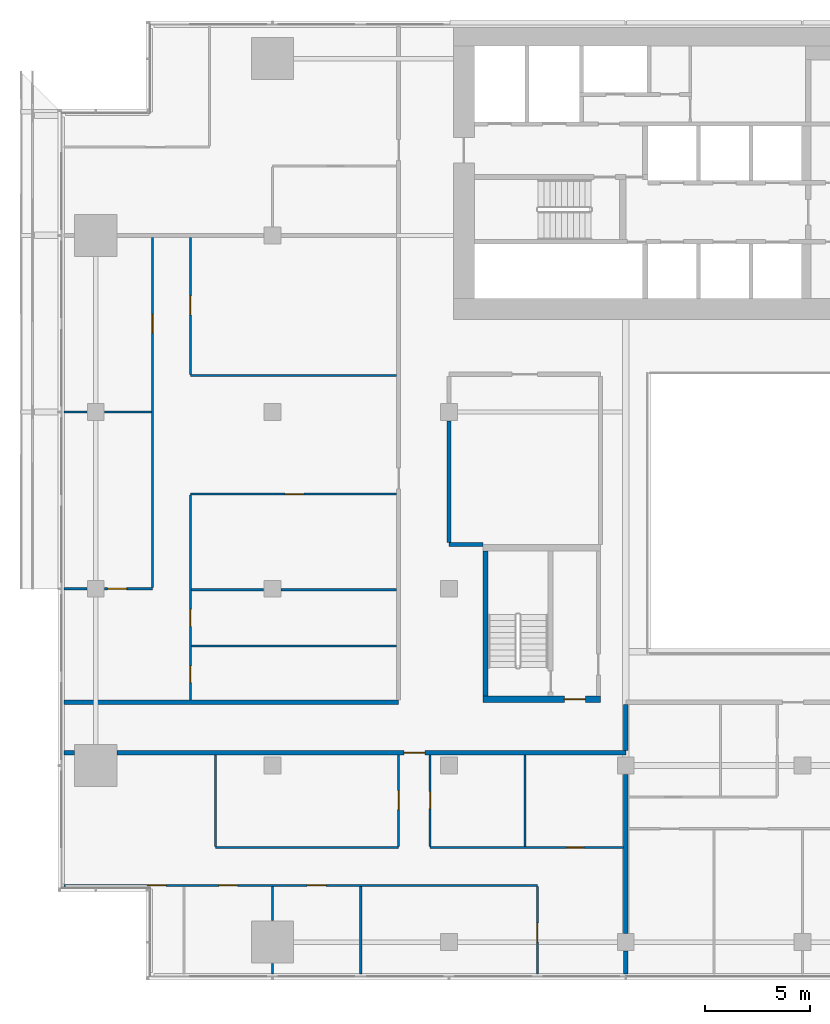
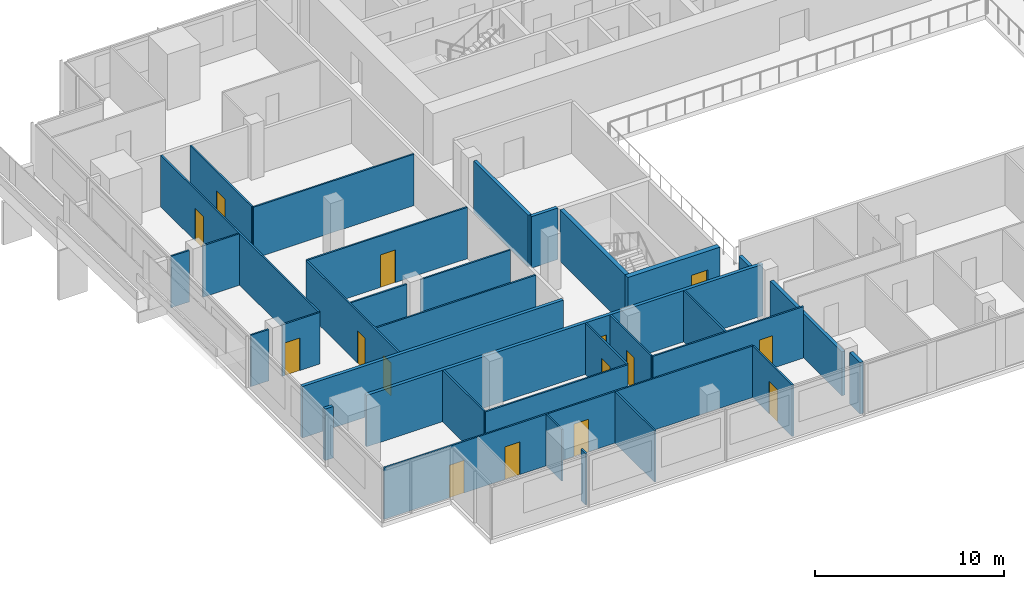
# One storey, part 16 of 25: 33 walls, 15 doors, 15 openings.
"""IFC4 building model written with IfcOpenShell, lengths in metres."""

from ifc_helpers import new_model, si_unit, direction, frame, frame_2d, origin, place, context, subcontext, project, spatial, rectangle, extrude, material, layer, layer_set, type_object, element, fill, save


model = new_model("IFC4")

# Units and contexts
model_context = context("Model", 3, precision=1e-05, world=origin(), true_north=direction((0.0, 1.0)))
body_context = subcontext(model_context, "Body", "Model", "MODEL_VIEW")
ifc_project = project(units=[si_unit("LENGTHUNIT", "METRE"), si_unit("AREAUNIT", "SQUARE_METRE"), si_unit("VOLUMEUNIT", "CUBIC_METRE"), si_unit("PLANEANGLEUNIT", "RADIAN"), si_unit("MASSUNIT", "GRAM", prefix="KILO")], contexts=[model_context])

# Site, building, storey
site_placement = place(None, origin())
site = spatial("IfcSite", under=ifc_project, at=site_placement, CompositionType="ELEMENT")
building_placement = place(site_placement, origin())
building = spatial("IfcBuilding", under=site, at=building_placement, Name="Saffron Gate Tower", CompositionType="ELEMENT")
storey_placement = place(building_placement, frame((0.0, 0.0, 131.25)))
storey = spatial("IfcBuildingStorey", under=building, at=storey_placement, Name="L31", CompositionType="ELEMENT", Elevation=131.25)

# Wall
ifc_material_1 = material(Name="Concrete C70", Category="concrete")
ifc_layer_1 = layer(ifc_material_1, 0.25)
ifc_layer_set_1 = layer_set([ifc_layer_1], Name="CW2 RC core wall 250 C70")
wall_type_1 = type_object("IfcWallType", Name="CW2 RC core wall 250 C70", PredefinedType="SOLIDWALL", material=ifc_layer_set_1)
wall_1_placement = place(storey_placement, frame((68.324951171875, 43.5, 0.0), z_axis=(0.0, 0.0, 1.0), x_axis=(0.0, 1.0, 0.0)))
element("IfcWall", 1, at=wall_1_placement, inside=storey, type_object=wall_type_1, Name="Wall CW2-L31-D-2", PredefinedType="SOLIDWALL", context=body_context, shape_type="SweptSolid", body=[
    extrude(rectangle(XDim=6.89990234375, YDim=0.25, at=frame_2d((3.449951171875, 0.0))), origin(), (0.0, 0.0, 1.0), 3.320068359375),
])

# Wall, opening, door
ifc_layer_2 = layer(ifc_material_1, 0.300048828125)
ifc_layer_set_2 = layer_set([ifc_layer_2], Name="CW5 RC core wall 300 C70")
wall_type_2 = type_object("IfcWallType", Name="CW5 RC core wall 300 C70", PredefinedType="SOLIDWALL", material=ifc_layer_set_2)
wall_2_placement = place(storey_placement, frame((68.199951171875, 43.35009765625, 0.0), z_axis=(0.0, 0.0, 1.0), x_axis=(1.0, 0.0, 0.0)))
wall_2 = element("IfcWall", 2, at=wall_2_placement, inside=storey, type_object=wall_type_2, Name="Wall CW5-L31-D-1", PredefinedType="SOLIDWALL", context=body_context, shape_type="SweptSolid", body=[
    extrude(rectangle(XDim=5.60009765625, YDim=0.300048828125, at=frame_2d((2.800048828125, 0.0))), origin(), (0.0, 0.0, 1.0), 3.320068359375),
])
opening_1_placement = place(wall_2_placement, frame((3.875, 0.0, 0.0)))
opening_1 = element("IfcOpeningElement", 3, at=opening_1_placement, cuts=wall_2, Name="Opening CR-18", PredefinedType="OPENING", context=body_context, shape_type="SweptSolid", body=[
    extrude(rectangle(XDim=1.0, YDim=2.10009765625, at=frame_2d((0.5, 1.050048828125))), frame((0.0, 0.16015625, 0.0), z_axis=(0.0, -1.0, 0.0), x_axis=(1.0, 0.0, 0.0)), (0.0, 0.0, 1.0), 0.320068359375),
])
ifc_material_2 = material(Name="Steel fire door set", Category="steel")
door_type_1 = type_object("IfcDoorType", Name="CD4 Lobby door 1000x2100 EI 120", OperationType="NOTDEFINED", PredefinedType="DOOR", material=ifc_material_2)
door_1_placement = place(opening_1_placement, origin())
door_1 = element("IfcDoor", 4, at=door_1_placement, inside=storey, type_object=door_type_1, Name="DOOR CR-18", OperationType="SINGLE_SWING_RIGHT", OverallHeight=2.10009765625, OverallWidth=1.0, PredefinedType="DOOR", context=body_context, shape_type="SweptSolid", body=[
    extrude(rectangle(XDim=1.0, YDim=2.10009765625, at=frame_2d((0.5, 1.050048828125))), frame((0.0, 0.02490234375, 0.0), z_axis=(0.0, -1.0, 0.0), x_axis=(1.0, 0.0, 0.0)), (0.0, 0.0, 1.0), 0.050048828125),
])
fill(opening_1, door_1)

# Wall, openings, doors
ifc_material_3 = material(Name="Plasterboard on steel studs", Category="steel")
ifc_layer_3 = layer(ifc_material_3, 0.10009765625)
ifc_layer_set_3 = layer_set([ifc_layer_3], Name="PW1 Partition 100")
wall_type_3 = type_object("IfcWallType", Name="PW1 Partition 100", PredefinedType="PARTITIONING", material=ifc_layer_set_3)
wall_3_placement = place(storey_placement, frame((70.800048828125, 34.5, 0.0), z_axis=(0.0, 0.0, 1.0), x_axis=(-1.0, 0.0, 0.0)))
wall_3 = element("IfcWall", 5, at=wall_3_placement, inside=storey, type_object=wall_type_3, Name="Partition B4-1", PredefinedType="PARTITIONING", context=body_context, shape_type="SweptSolid", body=[
    extrude(rectangle(XDim=22.52001953125, YDim=0.10009765625, at=frame_2d((11.260009765625, 0.0))), origin(), (0.0, 0.0, 1.0), 3.320068359375),
])
opening_2_placement = place(wall_3_placement, frame((10.050048828125, 0.0, 0.0)))
opening_2 = element("IfcOpeningElement", 6, at=opening_2_placement, cuts=wall_3, Name="Opening B4-10", PredefinedType="OPENING", context=body_context, shape_type="SweptSolid", body=[
    extrude(rectangle(XDim=0.89990234375, YDim=2.10009765625, at=frame_2d((0.449951171875, 1.050048828125))), frame((0.0, 0.06005859375, 0.0), z_axis=(0.0, -1.0, 0.0), x_axis=(1.0, 0.0, 0.0)), (0.0, 0.0, 1.0), 0.1201171875),
])
opening_3_placement = place(wall_3_placement, frame((14.25, 0.0, 0.0)))
opening_3 = element("IfcOpeningElement", 7, at=opening_3_placement, cuts=wall_3, Name="Opening B4-9", PredefinedType="OPENING", context=body_context, shape_type="SweptSolid", body=[
    extrude(rectangle(XDim=0.89990234375, YDim=2.10009765625, at=frame_2d((0.449951171875, 1.050048828125))), frame((0.0, 0.06005859375, 0.0), z_axis=(0.0, -1.0, 0.0), x_axis=(1.0, 0.0, 0.0)), (0.0, 0.0, 1.0), 0.1201171875),
])
opening_4_placement = place(wall_3_placement, frame((17.65380859375, 0.0, 0.0)))
opening_4 = element("IfcOpeningElement", 8, at=opening_4_placement, cuts=wall_3, Name="Opening B4-8", PredefinedType="OPENING", context=body_context, shape_type="SweptSolid", body=[
    extrude(rectangle(XDim=0.89990234375, YDim=2.10009765625, at=frame_2d((0.449951171875, 1.050048828125))), frame((0.0, 0.06005859375, 0.0), z_axis=(0.0, -1.0, 0.0), x_axis=(1.0, 0.0, 0.0)), (0.0, 0.0, 1.0), 0.1201171875),
])
ifc_material_4 = material(Name="Timber door set", Category="wood")
door_type_2 = type_object("IfcDoorType", Name="RD1 Room door 900x2100", OperationType="NOTDEFINED", PredefinedType="DOOR", material=ifc_material_4)
door_2_placement = place(opening_2_placement, origin())
door_2 = element("IfcDoor", 9, at=door_2_placement, inside=storey, type_object=door_type_2, Name="Door B4-10", OperationType="SINGLE_SWING_RIGHT", OverallHeight=2.10009765625, OverallWidth=0.89990234375, PredefinedType="DOOR", context=body_context, shape_type="SweptSolid", body=[
    extrude(rectangle(XDim=0.89990234375, YDim=2.10009765625, at=frame_2d((0.449951171875, 1.050048828125))), frame((0.0, 0.02490234375, 0.0), z_axis=(0.0, -1.0, 0.0), x_axis=(1.0, 0.0, 0.0)), (0.0, 0.0, 1.0), 0.050048828125),
])
fill(opening_2, door_2)
door_3_placement = place(opening_3_placement, origin())
door_3 = element("IfcDoor", 10, at=door_3_placement, inside=storey, type_object=door_type_2, Name="Door B4-9", OperationType="SINGLE_SWING_RIGHT", OverallHeight=2.10009765625, OverallWidth=0.89990234375, PredefinedType="DOOR", context=body_context, shape_type="SweptSolid", body=[
    extrude(rectangle(XDim=0.89990234375, YDim=2.10009765625, at=frame_2d((0.449951171875, 1.050048828125))), frame((0.0, 0.02490234375, 0.0), z_axis=(0.0, -1.0, 0.0), x_axis=(1.0, 0.0, 0.0)), (0.0, 0.0, 1.0), 0.050048828125),
])
fill(opening_3, door_3)
door_4_placement = place(opening_4_placement, origin())
door_4 = element("IfcDoor", 11, at=door_4_placement, inside=storey, type_object=door_type_2, Name="Door B4-8", OperationType="SINGLE_SWING_LEFT", OverallHeight=2.10009765625, OverallWidth=0.89990234375, PredefinedType="DOOR", context=body_context, shape_type="SweptSolid", body=[
    extrude(rectangle(XDim=0.89990234375, YDim=2.10009765625, at=frame_2d((0.449951171875, 1.050048828125))), frame((0.0, 0.02490234375, 0.0), z_axis=(0.0, -1.0, 0.0), x_axis=(1.0, 0.0, 0.0)), (0.0, 0.0, 1.0), 0.050048828125),
])
fill(opening_4, door_4)

# Wall
wall_4_placement = place(storey_placement, frame((55.5, 36.300048828125, 0.0), z_axis=(0.0, 0.0, 1.0), x_axis=(1.0, 0.0, 0.0)))
element("IfcWall", 12, at=wall_4_placement, inside=storey, type_object=wall_type_3, Name="Partition B4-4", PredefinedType="PARTITIONING", context=body_context, shape_type="SweptSolid", body=[
    extrude(rectangle(XDim=8.699951171875, YDim=0.10009765625, at=frame_2d((4.35009765625, 0.0))), origin(), (0.0, 0.0, 1.0), 3.320068359375),
])

# Wall, opening, door
wall_5_placement = place(storey_placement, frame((65.699951171875, 36.300048828125, 0.0), z_axis=(0.0, 0.0, 1.0), x_axis=(1.0, 0.0, 0.0)))
wall_5 = element("IfcWall", 13, at=wall_5_placement, inside=storey, type_object=wall_type_3, Name="Partition B4-5", PredefinedType="PARTITIONING", context=body_context, shape_type="SweptSolid", body=[
    extrude(rectangle(XDim=9.199951171875, YDim=0.10009765625, at=frame_2d((4.60009765625, 0.0))), origin(), (0.0, 0.0, 1.0), 3.320068359375),
])
opening_5_placement = place(wall_5_placement, frame((6.5, 0.0, 0.0)))
opening_5 = element("IfcOpeningElement", 14, at=opening_5_placement, cuts=wall_5, Name="Opening B4-37", PredefinedType="OPENING", context=body_context, shape_type="SweptSolid", body=[
    extrude(rectangle(XDim=0.800048828125, YDim=2.10009765625, at=frame_2d((0.39990234375, 1.050048828125))), frame((0.0, 0.06005859375, 0.0), z_axis=(0.0, -1.0, 0.0), x_axis=(1.0, 0.0, 0.0)), (0.0, 0.0, 1.0), 0.1201171875),
])
door_type_3 = type_object("IfcDoorType", Name="RD2 Bathroom door 800x2100", OperationType="NOTDEFINED", PredefinedType="DOOR", material=ifc_material_4)
door_5_placement = place(opening_5_placement, origin())
door_5 = element("IfcDoor", 15, at=door_5_placement, inside=storey, type_object=door_type_3, Name="Door B4-37", OperationType="SINGLE_SWING_RIGHT", OverallHeight=2.10009765625, OverallWidth=0.800048828125, PredefinedType="DOOR", context=body_context, shape_type="SweptSolid", body=[
    extrude(rectangle(XDim=0.800048828125, YDim=2.10009765625, at=frame_2d((0.39990234375, 1.050048828125))), frame((0.0, 0.02490234375, 0.0), z_axis=(0.0, -1.0, 0.0), x_axis=(1.0, 0.0, 0.0)), (0.0, 0.0, 1.0), 0.050048828125),
])
fill(opening_5, door_5)

# Walls
wall_6_placement = place(storey_placement, frame((54.35009765625, 45.876708984375, 0.0), z_axis=(0.0, 0.0, 1.0), x_axis=(1.0, 0.0, 0.0)))
element("IfcWall", 16, at=wall_6_placement, inside=storey, type_object=wall_type_3, Name="Partition B4-18", PredefinedType="PARTITIONING", context=body_context, shape_type="SweptSolid", body=[
    extrude(rectangle(XDim=9.75, YDim=0.10009765625, at=frame_2d((4.875, 0.0))), origin(), (0.0, 0.0, 1.0), 3.320068359375),
])
wall_7_placement = place(storey_placement, frame((54.35009765625, 48.553466796875, 0.0), z_axis=(0.0, 0.0, 1.0), x_axis=(1.0, 0.0, 0.0)))
element("IfcWall", 17, at=wall_7_placement, inside=storey, type_object=wall_type_3, Name="Partition B4-20", PredefinedType="PARTITIONING", context=body_context, shape_type="SweptSolid", body=[
    extrude(rectangle(XDim=3.429931640625, YDim=0.10009765625, at=frame_2d((1.71484375, 0.0))), origin(), (0.0, 0.0, 1.0), 3.320068359375),
])
wall_8_placement = place(storey_placement, frame((58.6201171875, 48.553466796875, 0.0), z_axis=(0.0, 0.0, 1.0), x_axis=(1.0, 0.0, 0.0)))
element("IfcWall", 18, at=wall_8_placement, inside=storey, type_object=wall_type_3, Name="Partition B4-21", PredefinedType="PARTITIONING", context=body_context, shape_type="SweptSolid", body=[
    extrude(rectangle(XDim=5.47998046875, YDim=0.10009765625, at=frame_2d((2.739990234375, 0.0))), origin(), (0.0, 0.0, 1.0), 3.320068359375),
])
wall_9_placement = place(storey_placement, frame((48.280029296875, 48.60009765625, 0.0), z_axis=(0.0, 0.0, 1.0), x_axis=(1.0, 0.0, 0.0)))
element("IfcWall", 19, at=wall_9_placement, inside=storey, type_object=wall_type_3, Name="Partition B4-22", PredefinedType="PARTITIONING", context=body_context, shape_type="SweptSolid", body=[
    extrude(rectangle(XDim=1.099853515625, YDim=0.10009765625, at=frame_2d((0.5498046875, 0.0))), origin(), (0.0, 0.0, 1.0), 3.320068359375),
])

# Wall, opening, door
wall_10_placement = place(storey_placement, frame((50.219970703125, 48.60009765625, 0.0), z_axis=(0.0, 0.0, 1.0), x_axis=(1.0, 0.0, 0.0)))
wall_10 = element("IfcWall", 20, at=wall_10_placement, inside=storey, type_object=wall_type_3, Name="Partition B4-23", PredefinedType="PARTITIONING", context=body_context, shape_type="SweptSolid", body=[
    extrude(rectangle(XDim=2.280029296875, YDim=0.10009765625, at=frame_2d((1.14013671875, 0.0))), origin(), (0.0, 0.0, 1.0), 3.320068359375),
])
opening_6_placement = place(wall_10_placement, frame((0.14990234375, 0.0, 0.0)))
opening_6 = element("IfcOpeningElement", 21, at=opening_6_placement, cuts=wall_10, Name="Opening B4-23", PredefinedType="OPENING", context=body_context, shape_type="SweptSolid", body=[
    extrude(rectangle(XDim=0.89990234375, YDim=2.10009765625, at=frame_2d((0.449951171875, 1.050048828125))), frame((0.0, 0.06005859375, 0.0), z_axis=(0.0, -1.0, 0.0), x_axis=(1.0, 0.0, 0.0)), (0.0, 0.0, 1.0), 0.1201171875),
])
door_6_placement = place(opening_6_placement, origin())
door_6 = element("IfcDoor", 22, at=door_6_placement, inside=storey, type_object=door_type_2, Name="Door B4-23", OperationType="SINGLE_SWING_LEFT", OverallHeight=2.10009765625, OverallWidth=0.89990234375, PredefinedType="DOOR", context=body_context, shape_type="SweptSolid", body=[
    extrude(rectangle(XDim=0.89990234375, YDim=2.10009765625, at=frame_2d((0.449951171875, 1.050048828125))), frame((0.0, 0.02490234375, 0.0), z_axis=(0.0, -1.0, 0.0), x_axis=(1.0, 0.0, 0.0)), (0.0, 0.0, 1.0), 0.050048828125),
])
fill(opening_6, door_6)

wall_11_placement = place(storey_placement, frame((64.10009765625, 53.10009765625, 0.0), z_axis=(0.0, 0.0, 1.0), x_axis=(-1.0, 0.0, 0.0)))
wall_11 = element("IfcWall", 23, at=wall_11_placement, inside=storey, type_object=wall_type_3, Name="Partition B4-30", PredefinedType="PARTITIONING", context=body_context, shape_type="SweptSolid", body=[
    extrude(rectangle(XDim=9.800048828125, YDim=0.10009765625, at=frame_2d((4.89990234375, 0.0))), origin(), (0.0, 0.0, 1.0), 3.320068359375),
])
opening_7_placement = place(wall_11_placement, frame((4.39990234375, 0.0, 0.0)))
opening_7 = element("IfcOpeningElement", 24, at=opening_7_placement, cuts=wall_11, Name="Opening B4-26", PredefinedType="OPENING", context=body_context, shape_type="SweptSolid", body=[
    extrude(rectangle(XDim=0.89990234375, YDim=2.10009765625, at=frame_2d((0.449951171875, 1.050048828125))), frame((0.0, 0.06005859375, 0.0), z_axis=(0.0, -1.0, 0.0), x_axis=(1.0, 0.0, 0.0)), (0.0, 0.0, 1.0), 0.1201171875),
])
door_7_placement = place(opening_7_placement, origin())
door_7 = element("IfcDoor", 25, at=door_7_placement, inside=storey, type_object=door_type_2, Name="Door B4-26", OperationType="SINGLE_SWING_LEFT", OverallHeight=2.10009765625, OverallWidth=0.89990234375, PredefinedType="DOOR", context=body_context, shape_type="SweptSolid", body=[
    extrude(rectangle(XDim=0.89990234375, YDim=2.10009765625, at=frame_2d((0.449951171875, 1.050048828125))), frame((0.0, 0.02490234375, 0.0), z_axis=(0.0, -1.0, 0.0), x_axis=(1.0, 0.0, 0.0)), (0.0, 0.0, 1.0), 0.050048828125),
])
fill(opening_7, door_7)

# Walls
wall_12_placement = place(storey_placement, frame((48.280029296875, 57.0, 0.0), z_axis=(0.0, 0.0, 1.0), x_axis=(1.0, 0.0, 0.0)))
element("IfcWall", 26, at=wall_12_placement, inside=storey, type_object=wall_type_3, Name="Partition B4-36", PredefinedType="PARTITIONING", context=body_context, shape_type="SweptSolid", body=[
    extrude(rectangle(XDim=1.099853515625, YDim=0.10009765625, at=frame_2d((0.5498046875, 0.0))), origin(), (0.0, 0.0, 1.0), 3.320068359375),
])
wall_13_placement = place(storey_placement, frame((50.219970703125, 57.0, 0.0), z_axis=(0.0, 0.0, 1.0), x_axis=(1.0, 0.0, 0.0)))
element("IfcWall", 27, at=wall_13_placement, inside=storey, type_object=wall_type_3, Name="Partition B4-37", PredefinedType="PARTITIONING", context=body_context, shape_type="SweptSolid", body=[
    extrude(rectangle(XDim=2.22998046875, YDim=0.10009765625, at=frame_2d((1.114990234375, 0.0))), origin(), (0.0, 0.0, 1.0), 3.320068359375),
])
wall_14_placement = place(storey_placement, frame((54.300048828125, 58.741455078125, 0.0), z_axis=(0.0, 0.0, 1.0), x_axis=(1.0, 0.0, 0.0)))
element("IfcWall", 28, at=wall_14_placement, inside=storey, type_object=wall_type_3, Name="Partition B4-38", PredefinedType="PARTITIONING", context=body_context, shape_type="SweptSolid", body=[
    extrude(rectangle(XDim=9.800048828125, YDim=0.10009765625, at=frame_2d((4.89990234375, 0.0))), origin(), (0.0, 0.0, 1.0), 3.320068359375),
])

# Wall, opening, door
wall_15_placement = place(storey_placement, frame((52.5, 48.64990234375, 0.0), z_axis=(0.0, 0.0, 1.0), x_axis=(0.0, 1.0, 0.0)))
wall_15 = element("IfcWall", 29, at=wall_15_placement, inside=storey, type_object=wall_type_3, Name="Partition B4-53", PredefinedType="PARTITIONING", context=body_context, shape_type="SweptSolid", body=[
    extrude(rectangle(XDim=16.650146484375, YDim=0.10009765625, at=frame_2d((8.3251953125, 0.0))), origin(), (0.0, 0.0, 1.0), 3.320068359375),
])
opening_8_placement = place(wall_15_placement, frame((12.10009765625, 0.0, 0.0)))
opening_8 = element("IfcOpeningElement", 30, at=opening_8_placement, cuts=wall_15, Name="Opening B4-24", PredefinedType="OPENING", context=body_context, shape_type="SweptSolid", body=[
    extrude(rectangle(XDim=0.89990234375, YDim=2.10009765625, at=frame_2d((0.449951171875, 1.050048828125))), frame((0.0, 0.06005859375, 0.0), z_axis=(0.0, -1.0, 0.0), x_axis=(1.0, 0.0, 0.0)), (0.0, 0.0, 1.0), 0.1201171875),
])
door_8_placement = place(opening_8_placement, origin())
door_8 = element("IfcDoor", 31, at=door_8_placement, inside=storey, type_object=door_type_2, Name="Door B4-24", OperationType="SINGLE_SWING_RIGHT", OverallHeight=2.10009765625, OverallWidth=0.89990234375, PredefinedType="DOOR", context=body_context, shape_type="SweptSolid", body=[
    extrude(rectangle(XDim=0.89990234375, YDim=2.10009765625, at=frame_2d((0.449951171875, 1.050048828125))), frame((0.0, 0.02490234375, 0.0), z_axis=(0.0, -1.0, 0.0), x_axis=(1.0, 0.0, 0.0)), (0.0, 0.0, 1.0), 0.050048828125),
])
fill(opening_8, door_8)

# Wall, openings, doors
wall_16_placement = place(storey_placement, frame((54.300048828125, 53.050048828125, 0.0), z_axis=(0.0, 0.0, 1.0), x_axis=(0.0, -1.0, 0.0)))
wall_16 = element("IfcWall", 32, at=wall_16_placement, inside=storey, type_object=wall_type_3, Name="Partition B4-55", PredefinedType="PARTITIONING", context=body_context, shape_type="SweptSolid", body=[
    extrude(rectangle(XDim=9.75, YDim=0.10009765625, at=frame_2d((4.875, 0.0))), origin(), (0.0, 0.0, 1.0), 3.320068359375),
])
opening_9_placement = place(wall_16_placement, frame((5.434814453125, 0.0, 0.0)))
opening_9 = element("IfcOpeningElement", 33, at=opening_9_placement, cuts=wall_16, Name="Opening B4-43", PredefinedType="OPENING", context=body_context, shape_type="SweptSolid", body=[
    extrude(rectangle(XDim=0.800048828125, YDim=2.10009765625, at=frame_2d((0.39990234375, 1.050048828125))), frame((0.0, 0.06005859375, 0.0), z_axis=(0.0, -1.0, 0.0), x_axis=(1.0, 0.0, 0.0)), (0.0, 0.0, 1.0), 0.1201171875),
])
opening_10_placement = place(wall_16_placement, frame((8.111572265625, 0.0, 0.0)))
opening_10 = element("IfcOpeningElement", 34, at=opening_10_placement, cuts=wall_16, Name="Opening B4-42", PredefinedType="OPENING", context=body_context, shape_type="SweptSolid", body=[
    extrude(rectangle(XDim=0.800048828125, YDim=2.10009765625, at=frame_2d((0.39990234375, 1.050048828125))), frame((0.0, 0.06005859375, 0.0), z_axis=(0.0, -1.0, 0.0), x_axis=(1.0, 0.0, 0.0)), (0.0, 0.0, 1.0), 0.1201171875),
])
door_9_placement = place(opening_9_placement, origin())
door_9 = element("IfcDoor", 35, at=door_9_placement, inside=storey, type_object=door_type_3, Name="Door B4-43", OperationType="SINGLE_SWING_LEFT", OverallHeight=2.10009765625, OverallWidth=0.800048828125, PredefinedType="DOOR", context=body_context, shape_type="SweptSolid", body=[
    extrude(rectangle(XDim=0.800048828125, YDim=2.10009765625, at=frame_2d((0.39990234375, 1.050048828125))), frame((0.0, 0.02490234375, 0.0), z_axis=(0.0, -1.0, 0.0), x_axis=(1.0, 0.0, 0.0)), (0.0, 0.0, 1.0), 0.050048828125),
])
fill(opening_9, door_9)
door_10_placement = place(opening_10_placement, origin())
door_10 = element("IfcDoor", 36, at=door_10_placement, inside=storey, type_object=door_type_3, Name="Door B4-42", OperationType="SINGLE_SWING_RIGHT", OverallHeight=2.10009765625, OverallWidth=0.800048828125, PredefinedType="DOOR", context=body_context, shape_type="SweptSolid", body=[
    extrude(rectangle(XDim=0.800048828125, YDim=2.10009765625, at=frame_2d((0.39990234375, 1.050048828125))), frame((0.0, 0.02490234375, 0.0), z_axis=(0.0, -1.0, 0.0), x_axis=(1.0, 0.0, 0.0)), (0.0, 0.0, 1.0), 0.050048828125),
])
fill(opening_10, door_10)

# Wall, opening, door
wall_17_placement = place(storey_placement, frame((54.300048828125, 65.300048828125, 0.0), z_axis=(0.0, 0.0, 1.0), x_axis=(0.0, -1.0, 0.0)))
wall_17 = element("IfcWall", 37, at=wall_17_placement, inside=storey, type_object=wall_type_3, Name="Partition B4-56", PredefinedType="PARTITIONING", context=body_context, shape_type="SweptSolid", body=[
    extrude(rectangle(XDim=6.508544921875, YDim=0.10009765625, at=frame_2d((3.25439453125, 0.0))), origin(), (0.0, 0.0, 1.0), 3.320068359375),
])
opening_11_placement = place(wall_17_placement, frame((2.779296875, 0.0, 0.0)))
opening_11 = element("IfcOpeningElement", 38, at=opening_11_placement, cuts=wall_17, Name="Opening B4-25", PredefinedType="OPENING", context=body_context, shape_type="SweptSolid", body=[
    extrude(rectangle(XDim=0.89990234375, YDim=2.10009765625, at=frame_2d((0.449951171875, 1.050048828125))), frame((0.0, 0.06005859375, 0.0), z_axis=(0.0, -1.0, 0.0), x_axis=(1.0, 0.0, 0.0)), (0.0, 0.0, 1.0), 0.1201171875),
])
door_11_placement = place(opening_11_placement, origin())
door_11 = element("IfcDoor", 39, at=door_11_placement, inside=storey, type_object=door_type_2, Name="Door B4-25", OperationType="SINGLE_SWING_LEFT", OverallHeight=2.10009765625, OverallWidth=0.89990234375, PredefinedType="DOOR", context=body_context, shape_type="SweptSolid", body=[
    extrude(rectangle(XDim=0.89990234375, YDim=2.10009765625, at=frame_2d((0.449951171875, 1.050048828125))), frame((0.0, 0.02490234375, 0.0), z_axis=(0.0, -1.0, 0.0), x_axis=(1.0, 0.0, 0.0)), (0.0, 0.0, 1.0), 0.050048828125),
])
fill(opening_11, door_11)

# Walls
wall_18_placement = place(storey_placement, frame((55.5, 40.699951171875, 0.0), z_axis=(0.0, 0.0, 1.0), x_axis=(0.0, -1.0, 0.0)))
element("IfcWall", 40, at=wall_18_placement, inside=storey, type_object=wall_type_3, Name="Partition B4-58", PredefinedType="PARTITIONING", context=body_context, shape_type="SweptSolid", body=[
    extrude(rectangle(XDim=4.349853515625, YDim=0.10009765625, at=frame_2d((2.1748046875, 0.0))), origin(), (0.0, 0.0, 1.0), 3.320068359375),
])
wall_19_placement = place(storey_placement, frame((58.199951171875, 30.780029296875, 0.0), z_axis=(0.0, 0.0, 1.0), x_axis=(0.0, -1.0, 0.0)))
element("IfcWall", 41, at=wall_19_placement, inside=storey, type_object=wall_type_3, Name="Partition B4-59", PredefinedType="PARTITIONING", context=body_context, shape_type="SweptSolid", body=[
    extrude(rectangle(XDim=0.5, YDim=0.10009765625, at=frame_2d((0.25, 0.0))), origin(), (0.0, 0.0, 1.0), 3.320068359375),
])
wall_20_placement = place(storey_placement, frame((58.199951171875, 34.449951171875, 0.0), z_axis=(0.0, 0.0, 1.0), x_axis=(0.0, -1.0, 0.0)))
element("IfcWall", 42, at=wall_20_placement, inside=storey, type_object=wall_type_3, Name="Partition B4-60", PredefinedType="PARTITIONING", context=body_context, shape_type="SweptSolid", body=[
    extrude(rectangle(XDim=1.6298828125, YDim=0.10009765625, at=frame_2d((0.81494140625, 0.0))), origin(), (0.0, 0.0, 1.0), 3.320068359375),
])
wall_21_placement = place(storey_placement, frame((62.39990234375, 34.449951171875, 0.0), z_axis=(0.0, 0.0, 1.0), x_axis=(0.0, -1.0, 0.0)))
element("IfcWall", 43, at=wall_21_placement, inside=storey, type_object=wall_type_3, Name="Partition B4-62", PredefinedType="PARTITIONING", context=body_context, shape_type="SweptSolid", body=[
    extrude(rectangle(XDim=4.169921875, YDim=0.10009765625, at=frame_2d((2.0849609375, 0.0))), origin(), (0.0, 0.0, 1.0), 3.320068359375),
])

# Wall, opening, door
wall_22_placement = place(storey_placement, frame((64.199951171875, 36.35009765625, 0.0), z_axis=(0.0, 0.0, 1.0), x_axis=(0.0, 1.0, 0.0)))
wall_22 = element("IfcWall", 44, at=wall_22_placement, inside=storey, type_object=wall_type_3, Name="Partition B4-64", PredefinedType="PARTITIONING", context=body_context, shape_type="SweptSolid", body=[
    extrude(rectangle(XDim=4.349853515625, YDim=0.10009765625, at=frame_2d((2.1748046875, 0.0))), origin(), (0.0, 0.0, 1.0), 3.320068359375),
])
opening_12_placement = place(wall_22_placement, frame((1.75, 0.0, 0.0)))
opening_12 = element("IfcOpeningElement", 45, at=opening_12_placement, cuts=wall_22, Name="Opening B4-12", PredefinedType="OPENING", context=body_context, shape_type="SweptSolid", body=[
    extrude(rectangle(XDim=0.89990234375, YDim=2.10009765625, at=frame_2d((0.449951171875, 1.050048828125))), frame((0.0, 0.06005859375, 0.0), z_axis=(0.0, -1.0, 0.0), x_axis=(1.0, 0.0, 0.0)), (0.0, 0.0, 1.0), 0.1201171875),
])
door_12_placement = place(opening_12_placement, origin())
door_12 = element("IfcDoor", 46, at=door_12_placement, inside=storey, type_object=door_type_2, Name="Door B4-12", OperationType="SINGLE_SWING_RIGHT", OverallHeight=2.10009765625, OverallWidth=0.89990234375, PredefinedType="DOOR", context=body_context, shape_type="SweptSolid", body=[
    extrude(rectangle(XDim=0.89990234375, YDim=2.10009765625, at=frame_2d((0.449951171875, 1.050048828125))), frame((0.0, 0.02490234375, 0.0), z_axis=(0.0, -1.0, 0.0), x_axis=(1.0, 0.0, 0.0)), (0.0, 0.0, 1.0), 0.050048828125),
])
fill(opening_12, door_12)

wall_23_placement = place(storey_placement, frame((65.699951171875, 40.699951171875, 0.0), z_axis=(0.0, 0.0, 1.0), x_axis=(0.0, -1.0, 0.0)))
wall_23 = element("IfcWall", 47, at=wall_23_placement, inside=storey, type_object=wall_type_3, Name="Partition B4-65", PredefinedType="PARTITIONING", context=body_context, shape_type="SweptSolid", body=[
    extrude(rectangle(XDim=4.349853515625, YDim=0.10009765625, at=frame_2d((2.1748046875, 0.0))), origin(), (0.0, 0.0, 1.0), 3.320068359375),
])
opening_13_placement = place(wall_23_placement, frame((1.75, 0.0, 0.0)))
opening_13 = element("IfcOpeningElement", 48, at=opening_13_placement, cuts=wall_23, Name="Opening B4-36", PredefinedType="OPENING", context=body_context, shape_type="SweptSolid", body=[
    extrude(rectangle(XDim=0.800048828125, YDim=2.10009765625, at=frame_2d((0.39990234375, 1.050048828125))), frame((0.0, 0.06005859375, 0.0), z_axis=(0.0, -1.0, 0.0), x_axis=(1.0, 0.0, 0.0)), (0.0, 0.0, 1.0), 0.1201171875),
])
door_13_placement = place(opening_13_placement, origin())
door_13 = element("IfcDoor", 49, at=door_13_placement, inside=storey, type_object=door_type_3, Name="Door B4-36", OperationType="SINGLE_SWING_LEFT", OverallHeight=2.10009765625, OverallWidth=0.800048828125, PredefinedType="DOOR", context=body_context, shape_type="SweptSolid", body=[
    extrude(rectangle(XDim=0.800048828125, YDim=2.10009765625, at=frame_2d((0.39990234375, 1.050048828125))), frame((0.0, 0.02490234375, 0.0), z_axis=(0.0, -1.0, 0.0), x_axis=(1.0, 0.0, 0.0)), (0.0, 0.0, 1.0), 0.050048828125),
])
fill(opening_13, door_13)

# Wall
wall_24_placement = place(storey_placement, frame((70.199951171875, 40.699951171875, 0.0), z_axis=(0.0, 0.0, 1.0), x_axis=(0.0, -1.0, 0.0)))
element("IfcWall", 50, at=wall_24_placement, inside=storey, type_object=wall_type_3, Name="Partition B4-68", PredefinedType="PARTITIONING", context=body_context, shape_type="SweptSolid", body=[
    extrude(rectangle(XDim=4.349853515625, YDim=0.10009765625, at=frame_2d((2.1748046875, 0.0))), origin(), (0.0, 0.0, 1.0), 3.320068359375),
])

# Wall, opening, door
wall_25_placement = place(storey_placement, frame((70.800048828125, 30.280029296875, 0.0), z_axis=(0.0, 0.0, 1.0), x_axis=(0.0, 1.0, 0.0)))
wall_25 = element("IfcWall", 51, at=wall_25_placement, inside=storey, type_object=wall_type_3, Name="Partition B4-69", PredefinedType="PARTITIONING", context=body_context, shape_type="SweptSolid", body=[
    extrude(rectangle(XDim=4.169921875, YDim=0.10009765625, at=frame_2d((2.0849609375, 0.0))), origin(), (0.0, 0.0, 1.0), 3.320068359375),
])
opening_14_placement = place(wall_25_placement, frame((1.52001953125, 0.0, 0.0)))
opening_14 = element("IfcOpeningElement", 52, at=opening_14_placement, cuts=wall_25, Name="Opening B4-11", PredefinedType="OPENING", context=body_context, shape_type="SweptSolid", body=[
    extrude(rectangle(XDim=0.89990234375, YDim=2.10009765625, at=frame_2d((0.449951171875, 1.050048828125))), frame((0.0, 0.06005859375, 0.0), z_axis=(0.0, -1.0, 0.0), x_axis=(1.0, 0.0, 0.0)), (0.0, 0.0, 1.0), 0.1201171875),
])
door_14_placement = place(opening_14_placement, origin())
door_14 = element("IfcDoor", 53, at=door_14_placement, inside=storey, type_object=door_type_2, Name="Door B4-11", OperationType="SINGLE_SWING_LEFT", OverallHeight=2.10009765625, OverallWidth=0.89990234375, PredefinedType="DOOR", context=body_context, shape_type="SweptSolid", body=[
    extrude(rectangle(XDim=0.89990234375, YDim=2.10009765625, at=frame_2d((0.449951171875, 1.050048828125))), frame((0.0, 0.02490234375, 0.0), z_axis=(0.0, -1.0, 0.0), x_axis=(1.0, 0.0, 0.0)), (0.0, 0.0, 1.0), 0.050048828125),
])
fill(opening_14, door_14)

# Walls
ifc_material_5 = material(Name="Clay brick masonry, rendered", Category="masonry")
ifc_layer_4 = layer(ifc_material_5, 0.199951171875)
ifc_layer_set_4 = layer_set([ifc_layer_4], Name="PW2 Demising wall 200")
wall_type_4 = type_object("IfcWallType", Name="PW2 Demising wall 200", PredefinedType="PARTITIONING", material=ifc_layer_set_4)
wall_26_placement = place(storey_placement, frame((75.0, 31.3798828125, 0.0), z_axis=(0.0, 0.0, 1.0), x_axis=(0.0, -1.0, 0.0)))
element("IfcWall", 54, at=wall_26_placement, inside=storey, type_object=wall_type_4, Name="Wall B4-72", PredefinedType="PARTITIONING", context=body_context, shape_type="SweptSolid", body=[
    extrude(rectangle(XDim=1.099853515625, YDim=0.199951171875, at=frame_2d((0.5498046875, 0.0))), origin(), (0.0, 0.0, 1.0), 3.320068359375),
])
wall_27_placement = place(storey_placement, frame((75.0, 39.780029296875, 0.0), z_axis=(0.0, 0.0, 1.0), x_axis=(0.0, -1.0, 0.0)))
element("IfcWall", 55, at=wall_27_placement, inside=storey, type_object=wall_type_4, Name="Wall B4-73", PredefinedType="PARTITIONING", context=body_context, shape_type="SweptSolid", body=[
    extrude(rectangle(XDim=7.56005859375, YDim=0.199951171875, at=frame_2d((3.780029296875, 0.0))), origin(), (0.0, 0.0, 1.0), 2.830078125),
])
ifc_layer_5 = layer(ifc_material_5, 0.199951171875)
ifc_layer_set_5 = layer_set([ifc_layer_5], Name="PW3 Corridor wall 200")
wall_type_5 = type_object("IfcWallType", Name="PW3 Corridor wall 200", PredefinedType="PARTITIONING", material=ifc_layer_set_5)
wall_28_placement = place(storey_placement, frame((48.280029296875, 40.800048828125, 0.0), z_axis=(0.0, 0.0, 1.0), x_axis=(1.0, 0.0, 0.0)))
element("IfcWall", 56, at=wall_28_placement, inside=storey, type_object=wall_type_5, Name="Wall B4-11", PredefinedType="PARTITIONING", context=body_context, shape_type="SweptSolid", body=[
    extrude(rectangle(XDim=0.5, YDim=0.199951171875, at=frame_2d((0.25, 0.0))), origin(), (0.0, 0.0, 1.0), 3.320068359375),
])

# Wall, opening, door
wall_29_placement = place(storey_placement, frame((75.0, 40.800048828125, 0.0), z_axis=(0.0, 0.0, 1.0), x_axis=(-1.0, 0.0, 0.0)))
wall_29 = element("IfcWall", 57, at=wall_29_placement, inside=storey, type_object=wall_type_5, Name="Wall B4-12", PredefinedType="PARTITIONING", context=body_context, shape_type="SweptSolid", body=[
    extrude(rectangle(XDim=24.179931640625, YDim=0.199951171875, at=frame_2d((12.08984375, 0.0))), origin(), (0.0, 0.0, 1.0), 3.320068359375),
])
opening_15_placement = place(wall_29_placement, frame((9.550048828125, 0.0, 0.0)))
opening_15 = element("IfcOpeningElement", 58, at=opening_15_placement, cuts=wall_29, Name="Opening B4-1", PredefinedType="OPENING", context=body_context, shape_type="SweptSolid", body=[
    extrude(rectangle(XDim=1.0, YDim=2.10009765625, at=frame_2d((0.5, 1.050048828125))), frame((0.0, 0.10986328125, 0.0), z_axis=(0.0, -1.0, 0.0), x_axis=(1.0, 0.0, 0.0)), (0.0, 0.0, 1.0), 0.219970703125),
])
ifc_material_6 = material(Name="Timber fire door set", Category="wood")
door_type_4 = type_object("IfcDoorType", Name="FD1 Flat entry door 1000x2100", OperationType="NOTDEFINED", PredefinedType="DOOR", material=ifc_material_6)
door_15_placement = place(opening_15_placement, origin())
door_15 = element("IfcDoor", 59, at=door_15_placement, inside=storey, type_object=door_type_4, Name="Door B4-1", OperationType="SINGLE_SWING_LEFT", OverallHeight=2.10009765625, OverallWidth=1.0, PredefinedType="DOOR", context=body_context, shape_type="SweptSolid", body=[
    extrude(rectangle(XDim=1.0, YDim=2.10009765625, at=frame_2d((0.5, 1.050048828125))), frame((0.0, 0.02490234375, 0.0), z_axis=(0.0, -1.0, 0.0), x_axis=(1.0, 0.0, 0.0)), (0.0, 0.0, 1.0), 0.050048828125),
])
fill(opening_15, door_15)

# Walls
wall_30_placement = place(storey_placement, frame((48.280029296875, 43.199951171875, 0.0), z_axis=(0.0, 0.0, 1.0), x_axis=(1.0, 0.0, 0.0)))
element("IfcWall", 60, at=wall_30_placement, inside=storey, type_object=wall_type_5, Name="Wall B4-15", PredefinedType="PARTITIONING", context=body_context, shape_type="SweptSolid", body=[
    extrude(rectangle(XDim=15.919921875, YDim=0.199951171875, at=frame_2d((7.9599609375, 0.0))), origin(), (0.0, 0.0, 1.0), 3.320068359375),
])
wall_31_placement = place(storey_placement, frame((66.60009765625, 50.699951171875, 0.0), z_axis=(0.0, 0.0, 1.0), x_axis=(1.0, 0.0, 0.0)))
element("IfcWall", 61, at=wall_31_placement, inside=storey, type_object=wall_type_5, Name="Wall B4-28", PredefinedType="PARTITIONING", context=body_context, shape_type="SweptSolid", body=[
    extrude(rectangle(XDim=1.599853515625, YDim=0.199951171875, at=frame_2d((0.7998046875, 0.0))), origin(), (0.0, 0.0, 1.0), 3.320068359375),
])
wall_32_placement = place(storey_placement, frame((66.60009765625, 56.580078125, 0.0), z_axis=(0.0, 0.0, 1.0), x_axis=(0.0, -1.0, 0.0)))
element("IfcWall", 62, at=wall_32_placement, inside=storey, type_object=wall_type_5, Name="Wall B4-66", PredefinedType="PARTITIONING", context=body_context, shape_type="SweptSolid", body=[
    extrude(rectangle(XDim=5.780029296875, YDim=0.199951171875, at=frame_2d((2.89013671875, 0.0))), origin(), (0.0, 0.0, 1.0), 3.320068359375),
])
wall_33_placement = place(storey_placement, frame((75.0, 43.10009765625, 0.0), z_axis=(0.0, 0.0, 1.0), x_axis=(0.0, -1.0, 0.0)))
element("IfcWall", 63, at=wall_33_placement, inside=storey, type_object=wall_type_5, Name="Wall B4-71", PredefinedType="PARTITIONING", context=body_context, shape_type="SweptSolid", body=[
    extrude(rectangle(XDim=2.2001953125, YDim=0.199951171875, at=frame_2d((1.10009765625, 0.0))), origin(), (0.0, 0.0, 1.0), 2.429931640625),
])

save(model, "model.ifc")
